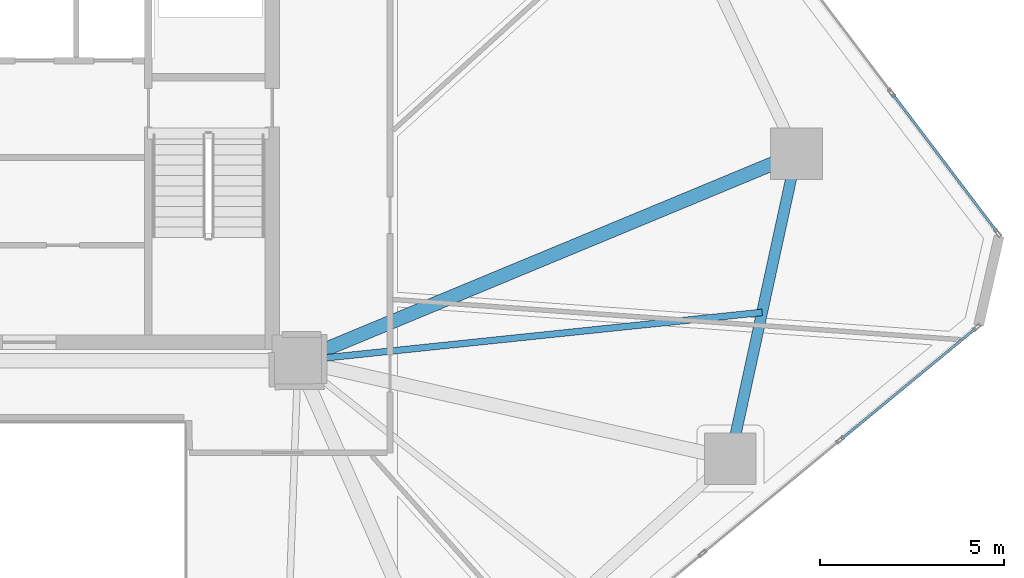
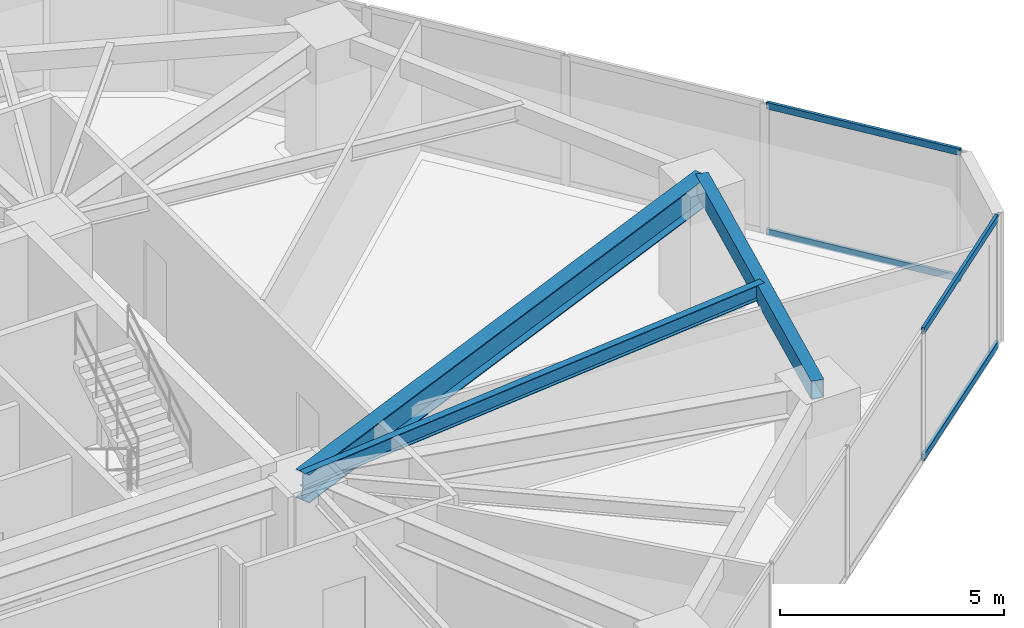
# One storey, part 11 of 23: 4 members, 3 beams, 2 elements without a shape of their own.
"""IFC4 building model written with IfcOpenShell, lengths in metres."""

from ifc_helpers import new_model, si_unit, direction, frame, origin, origin_2d, place, context, subcontext, project, spatial, hollow_rectangle, i_section, extrude, source, transform, mapped, material, layer, layer_set, material_profile, profile_set, type_object, type_shapes, element, aggregate, save


model = new_model("IFC4")

# Units and contexts
model_context = context("Model", 3, precision=1e-05, world=origin(), true_north=direction((0.0, 1.0)))
body_context = subcontext(model_context, "Body", "Model", "MODEL_VIEW")
ifc_project = project(units=[si_unit("LENGTHUNIT", "METRE"), si_unit("AREAUNIT", "SQUARE_METRE"), si_unit("VOLUMEUNIT", "CUBIC_METRE"), si_unit("PLANEANGLEUNIT", "RADIAN"), si_unit("MASSUNIT", "GRAM", prefix="KILO")], contexts=[model_context])

# Site, building, storey
site_placement = place(None, origin())
site = spatial("IfcSite", under=ifc_project, at=site_placement, CompositionType="ELEMENT")
building_placement = place(site_placement, origin())
building = spatial("IfcBuilding", under=site, at=building_placement, Name="Talar Marvaseh", CompositionType="ELEMENT")
storey_placement = place(building_placement, frame((0.0, 0.0, 77.199951171875)))
storey = spatial("IfcBuildingStorey", under=building, at=storey_placement, Name="L19", CompositionType="ELEMENT", Elevation=77.199951171875)

# Beams
ifc_material_1 = material(Name="Steel S355", Category="steel")
ifc_material_profile_1 = material_profile(ifc_material_1, hollow_rectangle(XDim=0.300048828125, YDim=0.5, WallThickness=0.02001953125, at=origin_2d()), Name="RHS500x300x20")
ifc_profile_set_1 = profile_set([ifc_material_profile_1], Name="Steel S355")
beam_type_1 = type_object("IfcBeamType", Name="Zone 1 Perimeter Spandrel Beam RHS500x300x20", PredefinedType="SPANDREL", material=ifc_profile_set_1)
beam_1_placement = place(storey_placement, frame((46.841064453125, 31.118896484375, 3.27001953125), z_axis=(-0.212134113363, -0.977240562987, 0.0), x_axis=(0.977240562987, -0.212134113363, 0.0)))
element("IfcBeam", 1, at=beam_1_placement, inside=storey, type_object=beam_type_1, Name="L19 Zone 1 Perimeter Spandrel Beam RHS500x300x20", PredefinedType="SPANDREL", context=body_context, shape_type="SweptSolid", body=[
    extrude(hollow_rectangle(XDim=0.300048828125, YDim=0.5, WallThickness=0.02001953125, at=origin_2d()), origin(), (0.0, 0.0, 1.0), 8.4716796875),
])
ifc_material_profile_2 = material_profile(ifc_material_1, i_section(OverallWidth=0.381103515625, OverallDepth=0.77294921875, WebThickness=0.0166015625, FlangeThickness=0.027099609375, at=origin_2d()), Name="W760x257")
ifc_profile_set_2 = profile_set([ifc_material_profile_2], Name="Steel S355")
beam_type_2 = type_object("IfcBeamType", Name="Zone 1 Radial Floor Girder W760x257", PredefinedType="BEAM", material=ifc_profile_set_2)
beam_2_placement = place(storey_placement, frame((46.841064453125, 31.118896484375, 3.133544921875), z_axis=(-0.923637605375, -0.383266974753, 0.0), x_axis=(0.383266974753, -0.923637605375, 0.0)))
element("IfcBeam", 2, at=beam_2_placement, inside=storey, type_object=beam_type_2, Name="L19 Zone 1 Radial Floor Girder W760x257", PredefinedType="BEAM", context=body_context, shape_type="SweptSolid", body=[
    extrude(i_section(OverallWidth=0.381103515625, OverallDepth=0.77294921875, WebThickness=0.0166015625, FlangeThickness=0.027099609375, at=origin_2d()), origin(), (0.0, 0.0, 1.0), 14.66064453125),
])
ifc_material_profile_3 = material_profile(ifc_material_1, i_section(OverallWidth=0.179931640625, OverallDepth=0.4130859375, WebThickness=0.009765625, FlangeThickness=0.01611328125, at=origin_2d()), Name="W410x75")
ifc_profile_set_3 = profile_set([ifc_material_profile_3], Name="Steel S355")
beam_type_3 = type_object("IfcBeamType", Name="Zone 1 Secondary Floor Joist W410x75", PredefinedType="JOIST", material=ifc_profile_set_3)
beam_3_placement = place(storey_placement, frame((45.906494140625, 26.81396484375, 3.3134765625), z_axis=(-0.994611955975, -0.103668013538, 0.0), x_axis=(0.103668013538, -0.994611955975, 0.0)))
element("IfcBeam", 3, at=beam_3_placement, inside=storey, type_object=beam_type_3, Name="L19 Zone 1 Secondary Floor Joist W410x75", PredefinedType="JOIST", context=body_context, shape_type="SweptSolid", body=[
    extrude(i_section(OverallWidth=0.179931640625, OverallDepth=0.4130859375, WebThickness=0.009765625, FlangeThickness=0.01611328125, at=origin_2d()), origin(), (0.0, 0.0, 1.0), 12.6748046875),
])

# Curtain wall, members
ifc_material_2 = material(Name="Architectural Aluminium", Category="aluminium")
ifc_layer = layer(ifc_material_2, 0.219970703125)
ifc_layer_set = layer_set([ifc_layer], Name="Architectural Aluminium")
curtain_wall_type = type_object("IfcCurtainWallType", Name="Unitised Low-E Museum Curtain Wall Z1", PredefinedType="NOTDEFINED", material=ifc_layer_set)
curtain_wall_1_placement = place(storey_placement, origin())
curtain_wall_1 = element("IfcCurtainWall", 4, at=curtain_wall_1_placement, inside=storey, type_object=curtain_wall_type, Name="L19 Unitised Low-E Museum Curtain Wall Z1", PredefinedType="NOTDEFINED")
ifc_material_profile_4 = material_profile(ifc_material_2, hollow_rectangle(XDim=0.074951171875, YDim=0.179931640625, WallThickness=0.0048828125, at=origin_2d()), Name="RHS180x75x5")
ifc_profile_set_4 = profile_set([ifc_material_profile_4], Name="Architectural Aluminium")
member_type = type_object("IfcMemberType", Name="Unitised Curtain Wall Transom RHS180x75x5", PredefinedType="USERDEFINED", material=ifc_profile_set_4)
shared_shape_1 = source(origin(), body_context, "Body", "SweptSolid", [
    extrude(hollow_rectangle(XDim=0.074951171875, YDim=0.179931640625, WallThickness=0.0048828125, at=origin_2d()), origin(), (0.0, 0.0, 1.0), 4.725341796875),
])
member_1_placement = place(storey_placement, frame((51.707275390625, 26.37890625, 0.03759765625), z_axis=(-0.771728860907, -0.635951700402, 0.0), x_axis=(0.635951700402, -0.771728860907, 0.0)))
member_1 = element("IfcMember", 5, at=member_1_placement, type_object=member_type, Name="CW-Z1 transom 1.1", ObjectType="TRANSOM", PredefinedType="USERDEFINED", context=body_context, shape_type="MappedRepresentation", body=[
    mapped(shared_shape_1, transform((0.0, 0.0, 0.0), x_axis=(1.0, 0.0, 0.0), y_axis=(0.0, 1.0, 0.0), z_axis=(0.0, 0.0, 1.0), scale=1.0)),
])
member_2_placement = place(storey_placement, frame((51.707275390625, 26.37890625, 3.482666015625), z_axis=(-0.771728860907, -0.635951700402, 0.0), x_axis=(0.635951700402, -0.771728860907, 0.0)))
member_2 = element("IfcMember", 6, at=member_2_placement, type_object=member_type, Name="CW-Z1 transom 1.2", ObjectType="TRANSOM", PredefinedType="USERDEFINED", context=body_context, shape_type="MappedRepresentation", body=[
    mapped(shared_shape_1, transform((0.0, 0.0, 0.0), x_axis=(1.0, 0.0, 0.0), y_axis=(0.0, 1.0, 0.0), z_axis=(0.0, 0.0, 1.0), scale=1.0)),
])
aggregate(curtain_wall_1, [member_1, member_2])

curtain_wall_2_placement = place(storey_placement, origin())
curtain_wall_2 = element("IfcCurtainWall", 7, at=curtain_wall_2_placement, inside=storey, type_object=curtain_wall_type, Name="L19 Unitised Low-E Museum Curtain Wall Z1", PredefinedType="NOTDEFINED")
shared_shape_2 = source(origin(), body_context, "Body", "SweptSolid", [
    extrude(hollow_rectangle(XDim=0.074951171875, YDim=0.179931640625, WallThickness=0.0048828125, at=origin_2d()), origin(), (0.0, 0.0, 1.0), 4.696533203125),
])
type_shapes(member_type, [shared_shape_1, shared_shape_2])
member_3_placement = place(storey_placement, frame((49.449462890625, 32.740478515625, 0.03759765625), z_axis=(0.603926742315, -0.797039829567, 0.0), x_axis=(0.797039829567, 0.603926742315, 0.0)))
member_3 = element("IfcMember", 8, at=member_3_placement, type_object=member_type, Name="CW-Z1 transom 4.1", ObjectType="TRANSOM", PredefinedType="USERDEFINED", context=body_context, shape_type="MappedRepresentation", body=[
    mapped(shared_shape_2, transform((0.0, 0.0, 0.0), x_axis=(1.0, 0.0, 0.0), y_axis=(0.0, 1.0, 0.0), z_axis=(0.0, 0.0, 1.0), scale=1.0)),
])
member_4_placement = place(storey_placement, frame((49.449462890625, 32.740478515625, 3.482666015625), z_axis=(0.603926742315, -0.797039829567, 0.0), x_axis=(0.797039829567, 0.603926742315, 0.0)))
member_4 = element("IfcMember", 9, at=member_4_placement, type_object=member_type, Name="CW-Z1 transom 4.2", ObjectType="TRANSOM", PredefinedType="USERDEFINED", context=body_context, shape_type="MappedRepresentation", body=[
    mapped(shared_shape_2, transform((0.0, 0.0, 0.0), x_axis=(1.0, 0.0, 0.0), y_axis=(0.0, 1.0, 0.0), z_axis=(0.0, 0.0, 1.0), scale=1.0)),
])
aggregate(curtain_wall_2, [member_3, member_4])

save(model, "model.ifc")
